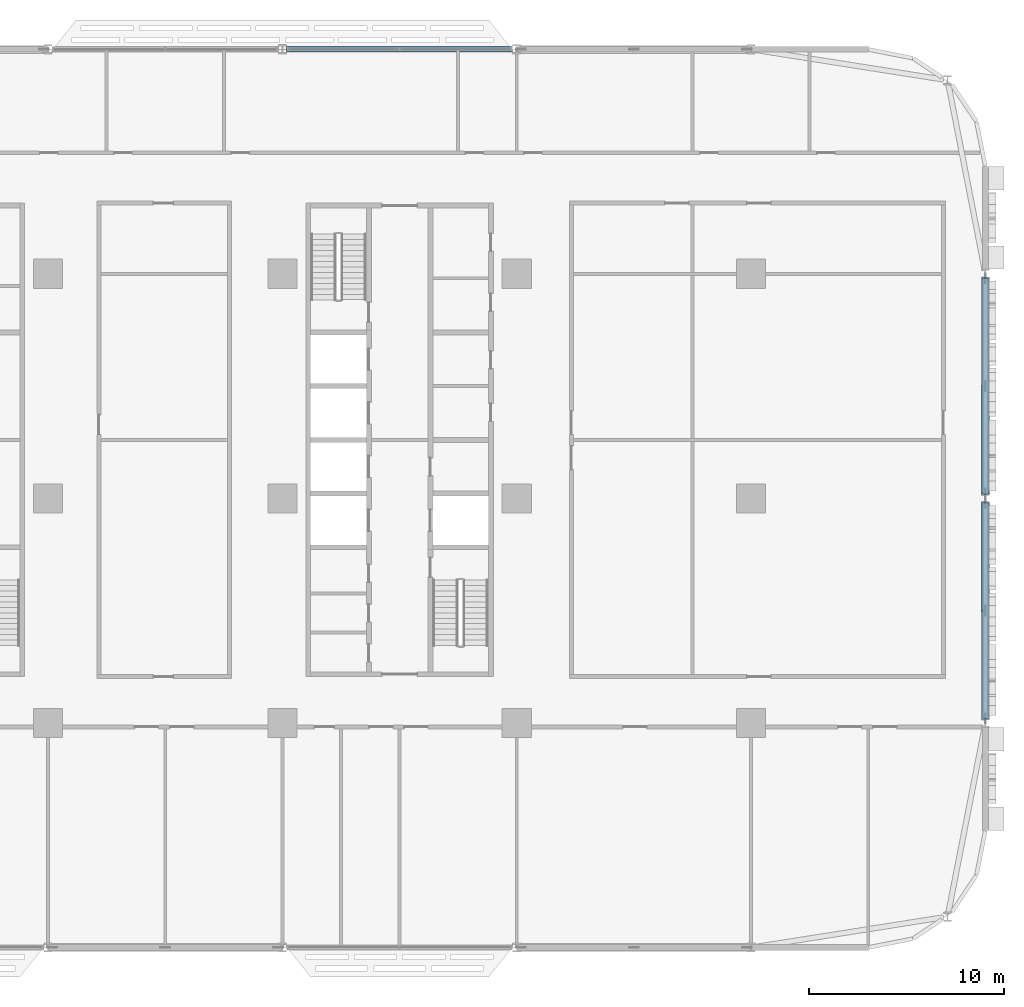
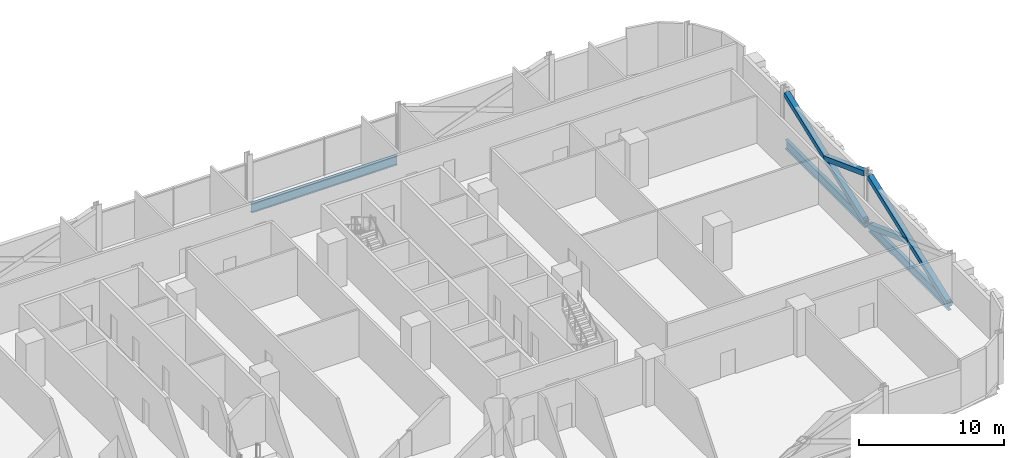
# One storey, part 9 of 29: 4 members, 3 beams.
"""IFC4 building model written with IfcOpenShell, lengths in metres."""

from ifc_helpers import new_model, si_unit, direction, frame, origin, origin_2d, place, context, subcontext, project, spatial, hollow_rectangle, i_section, extrude, material, material_profile, profile_set, type_object, element, save


model = new_model("IFC4")

# Units and contexts
model_context = context("Model", 3, precision=1e-05, world=origin(), true_north=direction((0.0, 1.0)))
body_context = subcontext(model_context, "Body", "Model", "MODEL_VIEW")
ifc_project = project(units=[si_unit("LENGTHUNIT", "METRE"), si_unit("AREAUNIT", "SQUARE_METRE"), si_unit("VOLUMEUNIT", "CUBIC_METRE"), si_unit("PLANEANGLEUNIT", "RADIAN"), si_unit("MASSUNIT", "GRAM", prefix="KILO")], contexts=[model_context])

# Site, building, storey
site_placement = place(None, origin())
site = spatial("IfcSite", under=ifc_project, at=site_placement, CompositionType="ELEMENT")
building_placement = place(site_placement, origin())
building = spatial("IfcBuilding", under=site, at=building_placement, Name="Mahtab Terrace Research Tower", CompositionType="ELEMENT")
storey_placement = place(building_placement, frame((0.0, 0.0, 58.89990234375)))
storey = spatial("IfcBuildingStorey", under=building, at=storey_placement, Name="L13", CompositionType="ELEMENT", Elevation=58.89990234375)

# Members
ifc_material_1 = material(Name="Steel ASTM A500 Gr C", Category="steel")
ifc_material_profile_1 = material_profile(ifc_material_1, hollow_rectangle(XDim=0.406494140625, YDim=0.406494140625, WallThickness=0.01904296875, at=origin_2d()), Name="HSS16X16X3/4")
ifc_profile_set_1 = profile_set([ifc_material_profile_1], Name="Steel ASTM A500 Gr C")
member_type = type_object("IfcMemberType", Name="HSS 16x16x3/4 brace XB161634", PredefinedType="BRACE", material=ifc_profile_set_1)
member_1_placement = place(storey_placement, frame((54.0, -11.262451171875, -0.629638671875), z_axis=(0.0, 0.936657793787, 0.350245881259), x_axis=(-1.0, 0.0, 0.0)))
element("IfcMember", 1, at=member_1_placement, inside=storey, type_object=member_type, Name="Exoskeleton brace L13 22 a", PredefinedType="BRACE", context=body_context, shape_type="SweptSolid", body=[
    extrude(hollow_rectangle(XDim=0.406494140625, YDim=0.406494140625, WallThickness=0.01904296875, at=origin_2d()), origin(), (0.0, 0.0, 1.0), 11.7705078125),
])
member_2_placement = place(storey_placement, frame((54.0, -0.237548828125, -0.629638671875), z_axis=(0.0, -0.936657793787, 0.350245881259), x_axis=(1.0, 0.0, 0.0)))
element("IfcMember", 2, at=member_2_placement, inside=storey, type_object=member_type, Name="Exoskeleton brace L13 22 b1", PredefinedType="BRACE", context=body_context, shape_type="SweptSolid", body=[
    extrude(hollow_rectangle(XDim=0.406494140625, YDim=0.406494140625, WallThickness=0.01904296875, at=origin_2d()), origin(), (0.0, 0.0, 1.0), 5.88525390625),
])
member_3_placement = place(storey_placement, frame((54.0, 0.237548828125, -0.629638671875), z_axis=(0.0, 0.936657793787, 0.350245881259), x_axis=(-1.0, 0.0, 0.0)))
element("IfcMember", 3, at=member_3_placement, inside=storey, type_object=member_type, Name="Exoskeleton brace L13 23 a", PredefinedType="BRACE", context=body_context, shape_type="SweptSolid", body=[
    extrude(hollow_rectangle(XDim=0.406494140625, YDim=0.406494140625, WallThickness=0.01904296875, at=origin_2d()), origin(), (0.0, 0.0, 1.0), 11.7705078125),
])
member_4_placement = place(storey_placement, frame((54.0, 5.75, 1.431640625), z_axis=(0.0, -0.936657793787, 0.350245881259), x_axis=(1.0, 0.0, 0.0)))
element("IfcMember", 4, at=member_4_placement, inside=storey, type_object=member_type, Name="Exoskeleton brace L13 23 b2", PredefinedType="BRACE", context=body_context, shape_type="SweptSolid", body=[
    extrude(hollow_rectangle(XDim=0.406494140625, YDim=0.406494140625, WallThickness=0.01904296875, at=origin_2d()), origin(), (0.0, 0.0, 1.0), 5.88525390625),
])

# Beams
ifc_material_2 = material(Name="Steel ASTM A992 Gr 50", Category="steel")
ifc_material_profile_2 = material_profile(ifc_material_2, i_section(OverallWidth=0.2666015625, OverallDepth=0.7568359375, WebThickness=0.013916015625, FlangeThickness=0.019287109375, at=origin_2d()), Name="W30X108")
ifc_profile_set_2 = profile_set([ifc_material_profile_2], Name="Steel ASTM A992 Gr 50")
beam_type = type_object("IfcBeamType", Name="W30x108 beam BS30108", PredefinedType="BEAM", material=ifc_profile_set_2)
beam_placement = place(storey_placement, frame((29.787841796875, 23.0, -0.71826171875), z_axis=(-1.0, 0.0, 0.0), x_axis=(0.0, -1.0, 0.0)))
element("IfcBeam", 5, at=beam_placement, inside=storey, type_object=beam_type, Name="Spandrel beam L13 03", PredefinedType="BEAM", context=body_context, shape_type="SweptSolid", body=[
    extrude(i_section(OverallWidth=0.2666015625, OverallDepth=0.7568359375, WebThickness=0.013916015625, FlangeThickness=0.019287109375, at=origin_2d()), origin(), (0.0, 0.0, 1.0), 11.57568359375),
])
for number, where, z_axis, x_axis, name in (
    (6, (54.0, -11.262451171875, -0.71826171875), (0.0, 1.0, 0.0), (-1.0, 0.0, 0.0), "Spandrel beam L13 22"),
    (7, (54.0, 0.237548828125, -0.71826171875), (0.0, 1.0, 0.0), (-1.0, 0.0, 0.0), "Spandrel beam L13 23"),
):
    element("IfcBeam", number, at=place(storey_placement, frame(where, z_axis=z_axis, x_axis=x_axis)), inside=storey, type_object=beam_type, Name=name, PredefinedType="BEAM", context=body_context, shape_type="SweptSolid", body=[
        extrude(i_section(OverallWidth=0.2666015625, OverallDepth=0.7568359375, WebThickness=0.013916015625, FlangeThickness=0.019287109375, at=origin_2d()), origin(), (0.0, 0.0, 1.0), 11.02490234375),
    ])

save(model, "model.ifc")
